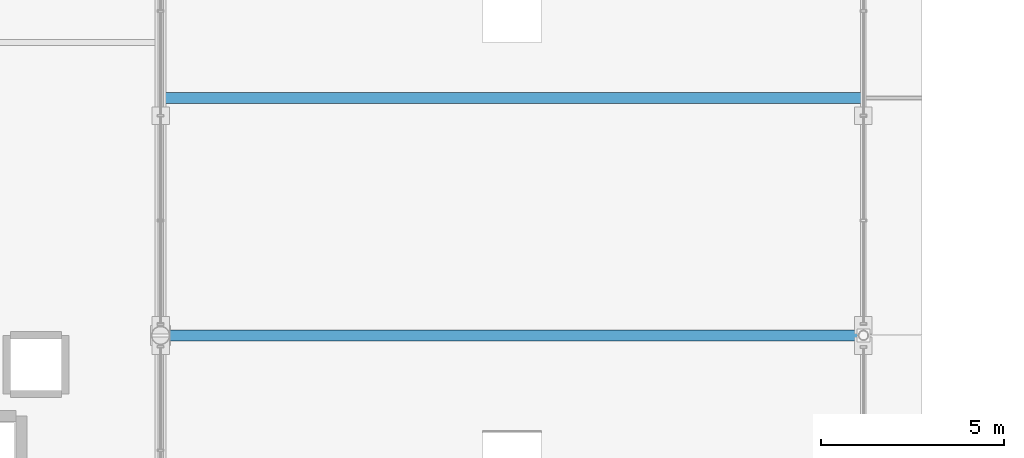
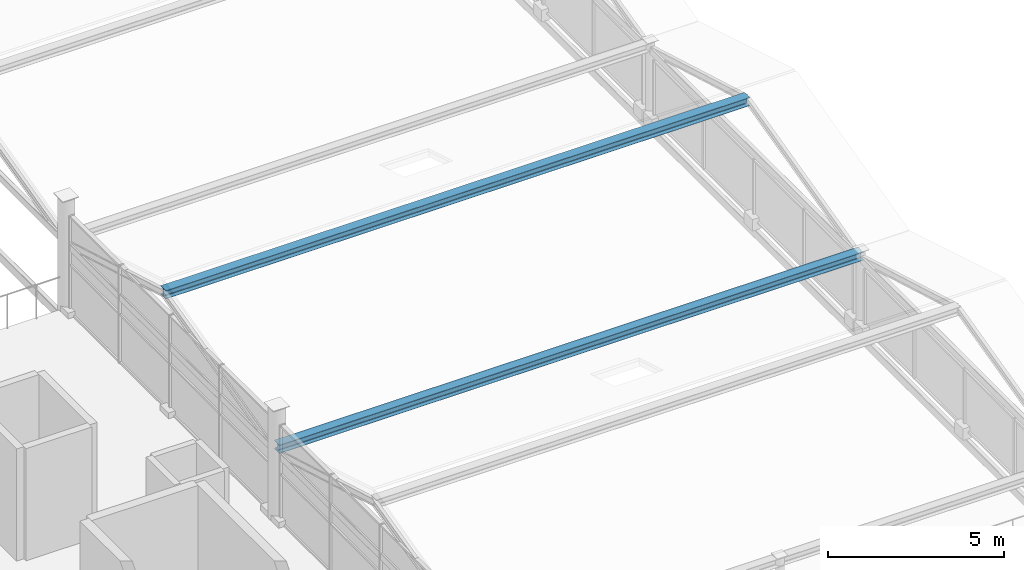
# One storey, part 64 of 117: 2 beams.
"""IFC4 building model written with IfcOpenShell, lengths in metres."""

import ifcopenshell
import ifcopenshell.guid

model = None  # the IFC model being written
_history = None  # IfcOwnerHistory: only IFC2X3 demands one
_inside = {}  # id of a spatial element -> (the spatial element, [elements in it])
_under = {}  # id of a project, library or spatial element -> (it, [spatial elements below it])
_declared = {}  # id of a project -> (the project, [libraries it declares])
_typed = {}  # id of a type object -> (the type object, [elements of that type])
_made_of = {}  # id of a material, layer set ... -> (it, [elements and type objects made of it])


def new_model(schema):
    """Start an empty IFC model of exactly this schema.

    Asked for "IFC4X3", IfcOpenShell would pick the latest addendum, in which some entities
    have other attributes; the version numbers below select the first issue.
    IFC2X3 requires an IfcOwnerHistory on every rooted entity: one is made here for all.
    """
    global model, _history
    if schema == "IFC4X3":
        model = ifcopenshell.file(schema_version=(4, 3, 0, 0))
    else:
        model = ifcopenshell.file(schema=schema)
    _inside.clear()
    _under.clear()
    _declared.clear()
    _typed.clear()
    _made_of.clear()
    _history = None
    if model.schema == "IFC2X3":
        org = make("IfcOrganization", Name="unknown")
        user = make(
            "IfcPersonAndOrganization",
            ThePerson=make("IfcPerson", FamilyName="unknown"),
            TheOrganization=org,
        )
        app = make(
            "IfcApplication",
            ApplicationDeveloper=org,
            Version="unknown",
            ApplicationFullName="unknown",
            ApplicationIdentifier="unknown",
        )
        _history = make(
            "IfcOwnerHistory",
            OwningUser=user,
            OwningApplication=app,
            ChangeAction="ADDED",
            CreationDate=0,
        )
    return model


def make(cls, **values):
    """One entity of the class cls with the attributes given. An attribute that is None is left unset."""
    return model.create_entity(
        cls, **{name: value for name, value in values.items() if value is not None}
    )


def rooted(cls, **values):
    """An entity with a GlobalId (a new one), such as an element, a storey or a relation."""
    return make(cls, GlobalId=ifcopenshell.guid.new(), OwnerHistory=_history, **values)


def si_unit(unit_type, name, prefix=None):
    """IfcSIUnit, for example si_unit("LENGTHUNIT", "METRE", prefix="MILLI")."""
    return make("IfcSIUnit", UnitType=unit_type, Prefix=prefix, Name=name)


def assignment(units):
    """IfcUnitAssignment: the units of a project."""
    return None if units is None else make("IfcUnitAssignment", Units=units)


def point(xyz):
    """IfcCartesianPoint."""
    return None if xyz is None else make("IfcCartesianPoint", Coordinates=xyz)


def direction(xyz):
    """IfcDirection."""
    return None if xyz is None else make("IfcDirection", DirectionRatios=xyz)


def frame(location, z_axis=None, x_axis=None):
    """IfcAxis2Placement3D, a coordinate frame: its origin and axes. An axis left out is left unset."""
    return make(
        "IfcAxis2Placement3D",
        Location=point(location),
        Axis=direction(z_axis),
        RefDirection=direction(x_axis),
    )


def frame_2d(location, x_axis=None):
    """IfcAxis2Placement2D, a coordinate frame in the plane: its origin and x axis."""
    return make(
        "IfcAxis2Placement2D", Location=point(location), RefDirection=direction(x_axis)
    )


def origin():
    """The frame at (0, 0, 0) with its axes left unset."""
    return frame((0.0, 0.0, 0.0))


def origin_2d():
    """The frame at (0, 0) in the plane with its x axis left unset."""
    return frame_2d((0.0, 0.0))


def place(relative_to, where):
    """IfcLocalPlacement: puts the frame where relative to a parent placement (None: the world)."""
    return make(
        "IfcLocalPlacement", PlacementRelTo=relative_to, RelativePlacement=where
    )


def context(
    kind, dimensions, precision=None, world=None, true_north=None, identifier=None
):
    """IfcGeometricRepresentationContext, for example the 3D "Model" context."""
    return make(
        "IfcGeometricRepresentationContext",
        ContextIdentifier=identifier,
        ContextType=kind,
        CoordinateSpaceDimension=dimensions,
        Precision=precision,
        WorldCoordinateSystem=world,
        TrueNorth=true_north,
    )


def subcontext(parent, identifier, kind, view, scale=None):
    """IfcGeometricRepresentationSubContext, for example "Body" below "Model"."""
    return make(
        "IfcGeometricRepresentationSubContext",
        ContextIdentifier=identifier,
        ContextType=kind,
        ParentContext=parent,
        TargetScale=scale,
        TargetView=view,
    )


def project(units=None, contexts=None):
    """IfcProject with its units and contexts."""
    return rooted(
        "IfcProject",
        Name="project",
        RepresentationContexts=contexts,
        UnitsInContext=assignment(units),
    )


def spatial(cls, under=None, at=None, **own):
    """A site, building, storey or space (cls), placed at a placement, below another one or the project."""
    s = rooted(cls, ObjectPlacement=at, **own)
    if under is not None:
        _under.setdefault(under.id(), (under, []))[1].append(s)
    return s


def profile(cls, at=None, kind="AREA", **sizes):
    """A parametric profile (cls). Its sizes go by their IFC names, for example OverallWidth=200.0."""
    return make(cls, ProfileType=kind, Position=at, **sizes)


def i_section(**sizes):
    """IfcIShapeProfileDef."""
    return profile("IfcIShapeProfileDef", **sizes)


def extrude(swept, where, along, depth):
    """IfcExtrudedAreaSolid: the profile swept, set in the frame where, extruded along a direction by depth."""
    return make(
        "IfcExtrudedAreaSolid",
        SweptArea=swept,
        Position=where,
        ExtrudedDirection=direction(along),
        Depth=depth,
    )


def shape(context_of_items, identifier, shape_type, items):
    """IfcShapeRepresentation: the items that make up one representation, for example the "Body"."""
    return make(
        "IfcShapeRepresentation",
        ContextOfItems=context_of_items,
        RepresentationIdentifier=identifier,
        RepresentationType=shape_type,
        Items=items,
    )


def material(Name=None, Category=None):
    """IfcMaterial."""
    return make("IfcMaterial", Name=Name, Category=Category)


def material_profile(
    of_material, cross_section, Name=None, Category=None, Priority=None
):
    """IfcMaterialProfile: a cross section and its material."""
    return make(
        "IfcMaterialProfile",
        Name=Name,
        Material=of_material,
        Profile=cross_section,
        Priority=Priority,
        Category=Category,
    )


def profile_set(profiles, Name=None, composite=None):
    """IfcMaterialProfileSet."""
    return make(
        "IfcMaterialProfileSet",
        Name=Name,
        MaterialProfiles=profiles,
        CompositeProfile=composite,
    )


def made_of(thing, what):
    """Note that an element or type object is made of a material, layer set ...; save() writes the relation."""
    if what is not None:
        _made_of.setdefault(what.id(), (what, []))[1].append(thing)
    return thing


def type_object(cls, material=None, **own):
    """A type object (cls), such as IfcWallType, which elements share."""
    return made_of(rooted(cls, **own), material)


def element(
    cls,
    number,
    at=None,
    inside=None,
    cuts=None,
    type_object=None,
    material=None,
    context=None,
    identifier="Body",
    shape_type=None,
    held_by="IfcProductDefinitionShape",
    body=None,
    shapes=None,
    **own,
):
    """One element of the class cls, such as IfcWall. Its Tag is "e" and its number.

    at: its placement. inside: the storey or other place that contains it. cuts: it is an
    opening in that element (IfcRelVoidsElement). A single representation is given by context,
    identifier, shape_type and body (its items); several are given by shapes. held_by: the class
    of the entity that holds the representations. save() writes the other relations.
    """
    e = rooted(cls, Tag="e%d" % number, ObjectPlacement=at, **own)
    if body is not None:
        shapes = [shape(context, identifier, shape_type, body)]
    if shapes is not None:
        e.Representation = make(held_by, Representations=shapes)
    if inside is not None:
        _inside.setdefault(inside.id(), (inside, []))[1].append(e)
    if cuts is not None:
        rooted(
            "IfcRelVoidsElement", RelatingBuildingElement=cuts, RelatedOpeningElement=e
        )
    if type_object is not None:
        _typed.setdefault(type_object.id(), (type_object, []))[1].append(e)
    return made_of(e, material)


def aggregate(whole, parts):
    """IfcRelAggregates: a whole, such as a stair, and the parts it consists of."""
    return rooted("IfcRelAggregates", RelatingObject=whole, RelatedObjects=parts)


def save(model, path):
    """Write the relations noted so far, then the file.

    IfcRelAggregates (storeys below a building ...), IfcRelContainedInSpatialStructure (elements
    in a storey), IfcRelDefinesByType, IfcRelAssociatesMaterial and IfcRelDeclares: one each for
    every whole, place, type object, material and project.
    """
    for whole, parts in _under.values():
        aggregate(whole, parts)
    for where, things in _inside.values():
        rooted(
            "IfcRelContainedInSpatialStructure",
            RelatedElements=things,
            RelatingStructure=where,
        )
    for kind, things in _typed.values():
        rooted("IfcRelDefinesByType", RelatedObjects=things, RelatingType=kind)
    for what, things in _made_of.values():
        rooted("IfcRelAssociatesMaterial", RelatedObjects=things, RelatingMaterial=what)
    for by, libraries in _declared.values():
        rooted("IfcRelDeclares", RelatingContext=by, RelatedDefinitions=libraries)
    model.write(path)


model = new_model("IFC4")

# Units and contexts
model_context = context("Model", 3, precision=1e-05, world=origin(), true_north=direction((0.0, 1.0)))
body_context = subcontext(model_context, "Body", "Model", "MODEL_VIEW")
ifc_project = project(units=[si_unit("LENGTHUNIT", "METRE"), si_unit("AREAUNIT", "SQUARE_METRE"), si_unit("VOLUMEUNIT", "CUBIC_METRE"), si_unit("PLANEANGLEUNIT", "RADIAN"), si_unit("MASSUNIT", "GRAM", prefix="KILO")], contexts=[model_context])

# Site, building, storey
site_placement = place(None, origin())
site = spatial("IfcSite", under=ifc_project, at=site_placement, CompositionType="ELEMENT")
building_placement = place(site_placement, origin())
building = spatial("IfcBuilding", under=site, at=building_placement, Name="Merenkruunu Market Hall", CompositionType="ELEMENT")
storey_placement = place(building_placement, frame((0.0, 0.0, 10.199951171875)))
storey = spatial("IfcBuildingStorey", under=building, at=storey_placement, Name="L02", CompositionType="ELEMENT", Elevation=10.199951171875)

# Beams
ifc_material = material(Name="Steel S355J2", Category="steel")
ifc_material_profile = material_profile(ifc_material, i_section(OverallWidth=0.300048828125, OverallDepth=0.2900390625, WebThickness=0.008544921875, FlangeThickness=0.013916015625, FilletRadius=0.027099609375, at=origin_2d()), Name="HEA 300")
ifc_profile_set = profile_set([ifc_material_profile], Name="Steel S355J2")
beam_type = type_object("IfcBeamType", Name="Primary Floor Girder B09", PredefinedType="BEAM", material=ifc_profile_set)
for number, where, z_axis, x_axis, name in (
    (1, (57.60009765625, 63.60009765625, 2.43505859375), (1.0, 0.0, 0.0), (0.0, 1.0, 0.0), "BM-L02-B09-1302"),
    (2, (57.60009765625, 70.080078125, 3.875), (1.0, 0.0, 0.0), (0.0, 1.0, 0.0), "BM-L02-B09-1303"),
):
    element("IfcBeam", number, at=place(storey_placement, frame(where, z_axis=z_axis, x_axis=x_axis)), inside=storey, type_object=beam_type, Name=name, PredefinedType="BEAM", context=body_context, shape_type="SweptSolid", body=[
        extrude(i_section(OverallWidth=0.300048828125, OverallDepth=0.2900390625, WebThickness=0.008544921875, FlangeThickness=0.013916015625, FilletRadius=0.027099609375, at=origin_2d()), origin(), (0.0, 0.0, 1.0), 19.199951171875),
    ])

save(model, "model.ifc")
